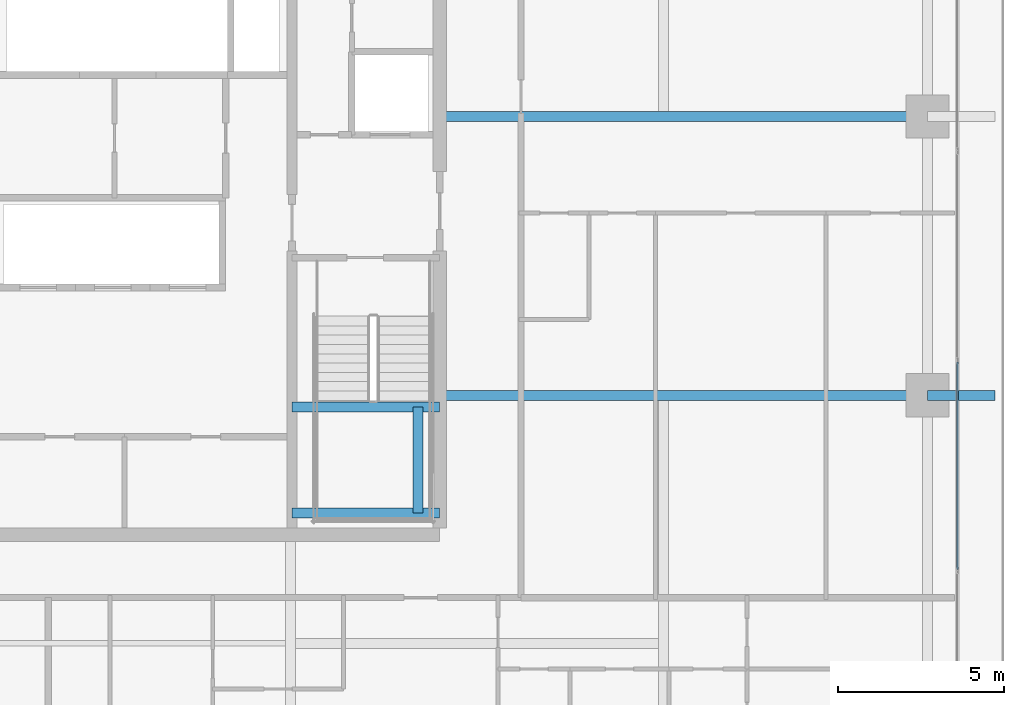
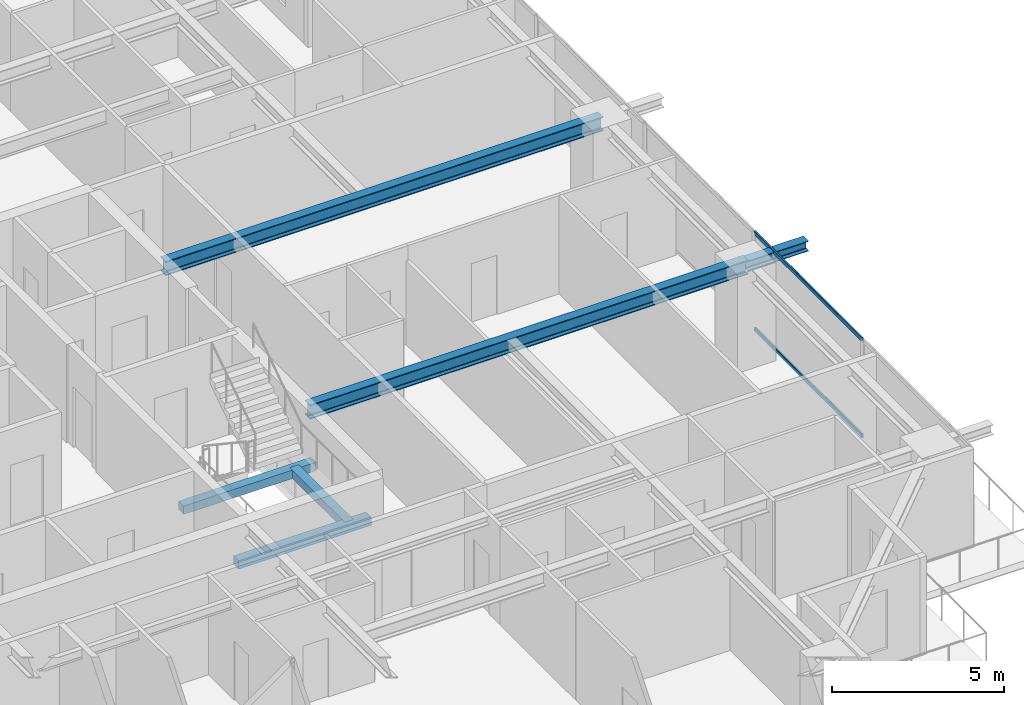
# One storey, part 15 of 39: 6 beams, 2 members, 1 element without a shape of its own.
"""IFC4 building model written with IfcOpenShell, lengths in metres."""

from ifc_helpers import new_model, si_unit, direction, frame, origin, origin_2d, place, context, subcontext, project, spatial, rectangle, hollow_rectangle, i_section, extrude, source, transform, mapped, material, layer, layer_set, material_profile, profile_set, type_object, element, aggregate, save


model = new_model("IFC4")

# Units and contexts
model_context = context("Model", 3, precision=1e-05, world=origin(), true_north=direction((0.0, 1.0)))
body_context = subcontext(model_context, "Body", "Model", "MODEL_VIEW")
ifc_project = project(units=[si_unit("LENGTHUNIT", "METRE"), si_unit("AREAUNIT", "SQUARE_METRE"), si_unit("VOLUMEUNIT", "CUBIC_METRE"), si_unit("PLANEANGLEUNIT", "RADIAN"), si_unit("MASSUNIT", "GRAM", prefix="KILO")], contexts=[model_context])

# Site, building, storey
site_placement = place(None, origin())
site = spatial("IfcSite", under=ifc_project, at=site_placement, CompositionType="ELEMENT")
building_placement = place(site_placement, origin())
building = spatial("IfcBuilding", under=site, at=building_placement, Name="Serunith Strait Residences", CompositionType="ELEMENT")
storey_placement = place(building_placement, frame((0.0, 0.0, 168.89990234375)))
storey = spatial("IfcBuildingStorey", under=building, at=storey_placement, Name="L42", CompositionType="ELEMENT", Elevation=168.89990234375)

# Beams
ifc_material_1 = material(Name="Steel S355J2", Category="steel")
ifc_material_profile_1 = material_profile(ifc_material_1, i_section(OverallWidth=0.300048828125, OverallDepth=0.5, WebThickness=0.014404296875, FlangeThickness=0.028076171875, FilletRadius=0.027099609375, at=origin_2d()), Name="HEB 500")
ifc_profile_set_1 = profile_set([ifc_material_profile_1], Name="Steel S355J2")
beam_type_1 = type_object("IfcBeamType", Name="BM-HEB500", PredefinedType="BEAM", material=ifc_profile_set_1)
shared_shape_1 = source(origin(), body_context, "Body", "SweptSolid", [
    extrude(i_section(OverallWidth=0.300048828125, OverallDepth=0.5, WebThickness=0.014404296875, FlangeThickness=0.028076171875, FilletRadius=0.027099609375, at=origin_2d()), origin(), (0.0, 0.0, 1.0), 14.7001953125),
])
for number, where, z_axis, x_axis, name in (
    (1, (41.39990234375, 21.0, 3.237060546875), (1.0, 0.0, 0.0), (0.0, 1.0, 0.0), "L42 Primary Floor Girder TC-E2"),
    (2, (41.39990234375, 29.39990234375, 3.237060546875), (1.0, 0.0, 0.0), (0.0, 1.0, 0.0), "L42 Primary Floor Girder TC-E3"),
):
    element("IfcBeam", number, at=place(storey_placement, frame(where, z_axis=z_axis, x_axis=x_axis)), inside=storey, type_object=beam_type_1, Name=name, PredefinedType="BEAM", context=body_context, shape_type="MappedRepresentation", body=[
        mapped(shared_shape_1, transform((0.0, 0.0, 0.0), scale=1.0)),
    ])
ifc_material_profile_2 = material_profile(ifc_material_1, i_section(OverallWidth=0.300048828125, OverallDepth=0.360107421875, WebThickness=0.012451171875, FlangeThickness=0.0224609375, FilletRadius=0.027099609375, at=origin_2d()), Name="HEB 360")
ifc_profile_set_2 = profile_set([ifc_material_profile_2], Name="Steel S355J2")
beam_type_2 = type_object("IfcBeamType", Name="BM-HEB360", PredefinedType="BEAM", material=ifc_profile_set_2)
shared_shape_2 = source(origin(), body_context, "Body", "SweptSolid", [
    extrude(i_section(OverallWidth=0.300048828125, OverallDepth=0.360107421875, WebThickness=0.012451171875, FlangeThickness=0.0224609375, FilletRadius=0.027099609375, at=origin_2d()), origin(), (0.0, 0.0, 1.0), 2.02978515625),
])
beam_1_placement = place(storey_placement, frame((56.10009765625, 21.0, 3.277099609375), z_axis=(1.0, 0.0, 0.0), x_axis=(0.0, 1.0, 0.0)))
element("IfcBeam", 3, at=beam_1_placement, inside=storey, type_object=beam_type_2, Name="L43 Cantilevered Balcony Rib TC-E2", PredefinedType="BEAM", context=body_context, shape_type="MappedRepresentation", body=[
    mapped(shared_shape_2, transform((0.0, 0.0, 0.0), scale=1.0)),
])
ifc_material_2 = material(Name="Concrete C60/75", Category="concrete")
ifc_material_profile_3 = material_profile(ifc_material_2, rectangle(XDim=0.300048828125, YDim=0.300048828125, at=origin_2d()), Name="RC 300x300")
ifc_profile_set_3 = profile_set([ifc_material_profile_3], Name="Concrete C60/75")
beam_type_3 = type_object("IfcBeamType", Name="BM-LAND-300x300", PredefinedType="BEAM", material=ifc_profile_set_3)
shared_shape_3 = source(origin(), body_context, "Body", "SweptSolid", [
    extrude(rectangle(XDim=0.300048828125, YDim=0.300048828125, at=origin_2d()), origin(), (0.0, 0.0, 1.0), 3.199951171875),
])
beam_2_placement = place(storey_placement, frame((40.75, 17.449951171875, 1.525146484375), z_axis=(0.0, 1.0, 0.0), x_axis=(-1.0, 0.0, 0.0)))
element("IfcBeam", 4, at=beam_2_placement, inside=storey, type_object=beam_type_3, Name="L42 ST-2 Landing Transverse Tie Beam", PredefinedType="BEAM", context=body_context, shape_type="MappedRepresentation", body=[
    mapped(shared_shape_3, transform((0.0, 0.0, 0.0), scale=1.0)),
])
shared_shape_4 = source(origin(), body_context, "Body", "SweptSolid", [
    extrude(rectangle(XDim=0.300048828125, YDim=0.300048828125, at=origin_2d()), origin(), (0.0, 0.0, 1.0), 4.449951171875),
])
for number, where, z_axis, x_axis, name in (
    (5, (36.949951171875, 17.449951171875, 1.525146484375), (1.0, 0.0, 0.0), (0.0, 1.0, 0.0), "L42 ST-2 Landing Support Beam 1"),
    (6, (36.949951171875, 20.64990234375, 1.525146484375), (1.0, 0.0, 0.0), (0.0, 1.0, 0.0), "L42 ST-2 Landing Support Beam 2"),
):
    element("IfcBeam", number, at=place(storey_placement, frame(where, z_axis=z_axis, x_axis=x_axis)), inside=storey, type_object=beam_type_3, Name=name, PredefinedType="BEAM", context=body_context, shape_type="MappedRepresentation", body=[
        mapped(shared_shape_4, transform((0.0, 0.0, 0.0), scale=1.0)),
    ])

# Curtain wall, members
ifc_material_3 = material(Name="Pale-Champagne Anodised Aluminium", Category="aluminium")
ifc_layer = layer(ifc_material_3, 0.199951171875, Name="Pale-Champagne Anodised Aluminium")
ifc_layer_set = layer_set([ifc_layer], Name="Pale-Champagne Anodised Aluminium")
curtain_wall_type = type_object("IfcCurtainWallType", Name="CW-SYS2", PredefinedType="NOTDEFINED", material=ifc_layer_set)
curtain_wall_placement = place(storey_placement, origin())
curtain_wall = element("IfcCurtainWall", 7, at=curtain_wall_placement, inside=storey, type_object=curtain_wall_type, Name="L42 E Unitised Fritted Curtain Wall", PredefinedType="NOTDEFINED")
ifc_material_profile_4 = material_profile(ifc_material_3, hollow_rectangle(XDim=0.06005859375, YDim=0.139892578125, WallThickness=0.00341796875, InnerFilletRadius=0.00537109375, OuterFilletRadius=0.0087890625, at=origin_2d()), Name="ALU 140x60x3.5")
ifc_profile_set_4 = profile_set([ifc_material_profile_4], Name="Pale-Champagne Anodised Aluminium")
member_type = type_object("IfcMemberType", Name="CW-SYS2-TRAN", PredefinedType="USERDEFINED", material=ifc_profile_set_4)
shared_shape_5 = source(origin(), body_context, "Body", "SweptSolid", [
    extrude(hollow_rectangle(XDim=0.06005859375, YDim=0.139892578125, WallThickness=0.00341796875, InnerFilletRadius=0.00537109375, OuterFilletRadius=0.0087890625, at=origin_2d()), origin(), (0.0, 0.0, 1.0), 6.25),
])
member_1_placement = place(storey_placement, frame((57.0, 15.7548828125, 0.030029296875), z_axis=(0.0, 1.0, 0.0), x_axis=(-1.0, 0.0, 0.0)))
member_1 = element("IfcMember", 8, at=member_1_placement, type_object=member_type, Name="CW-2 transom 2.1", ObjectType="TRANSOM", PredefinedType="USERDEFINED", context=body_context, shape_type="MappedRepresentation", body=[
    mapped(shared_shape_5, transform((0.0, 0.0, 0.0), scale=1.0)),
])
member_2_placement = place(storey_placement, frame((57.0, 15.7548828125, 3.445068359375), z_axis=(0.0, 1.0, 0.0), x_axis=(-1.0, 0.0, 0.0)))
member_2 = element("IfcMember", 9, at=member_2_placement, type_object=member_type, Name="CW-2 transom 2.2", ObjectType="TRANSOM", PredefinedType="USERDEFINED", context=body_context, shape_type="MappedRepresentation", body=[
    mapped(shared_shape_5, transform((0.0, 0.0, 0.0), scale=1.0)),
])
aggregate(curtain_wall, [member_1, member_2])

save(model, "model.ifc")
